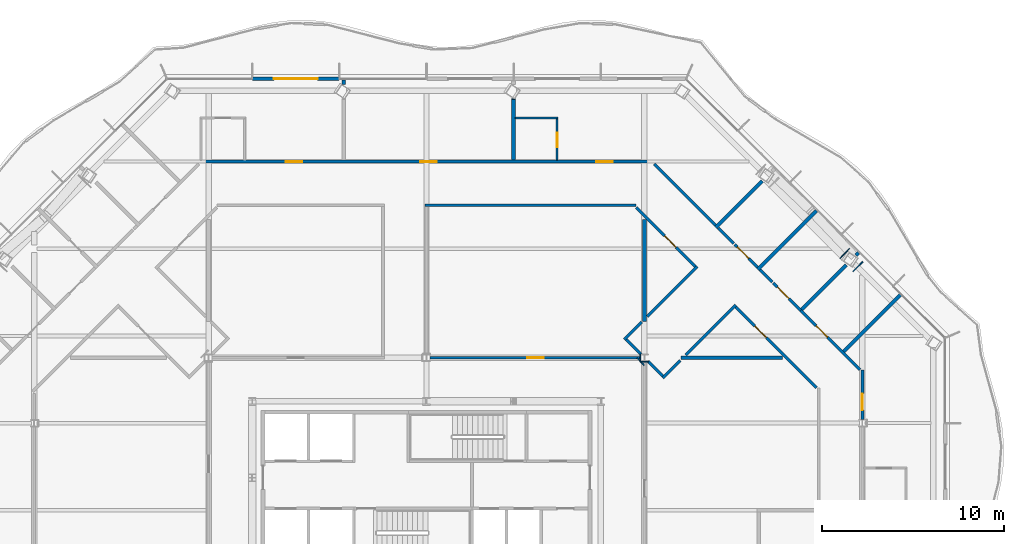
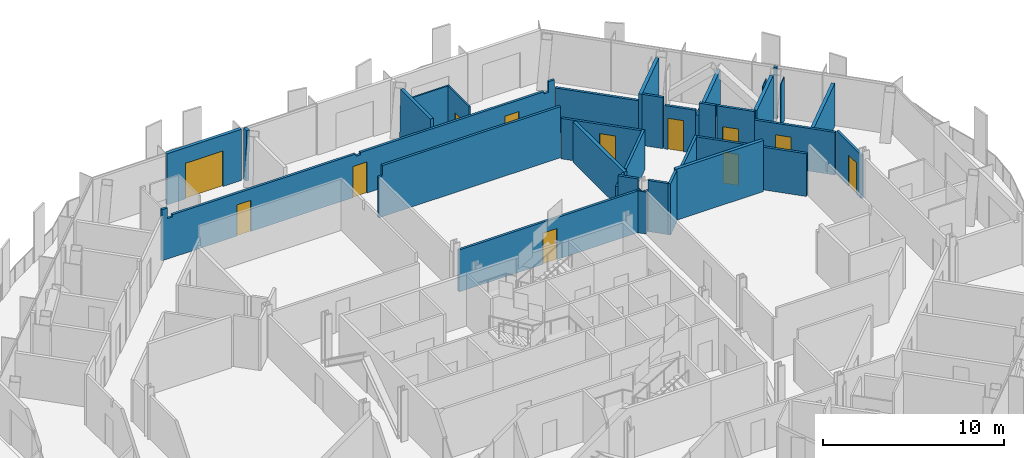
# One storey, part 13 of 21: 35 walls, 12 doors, 12 openings.
"""IFC4 building model written with IfcOpenShell, lengths in metres."""

from ifc_helpers import new_model, si_unit, direction, frame, frame_2d, origin, place, context, subcontext, project, spatial, polyline, rectangle, outline, extrude, material, layer, layer_set, type_object, element, fill, save


model = new_model("IFC4")

# Units and contexts
model_context = context("Model", 3, precision=1e-05, world=origin(), true_north=direction((0.0, 1.0)))
body_context = subcontext(model_context, "Body", "Model", "MODEL_VIEW")
ifc_project = project(units=[si_unit("LENGTHUNIT", "METRE"), si_unit("AREAUNIT", "SQUARE_METRE"), si_unit("VOLUMEUNIT", "CUBIC_METRE"), si_unit("PLANEANGLEUNIT", "RADIAN"), si_unit("MASSUNIT", "GRAM", prefix="KILO")], contexts=[model_context])

# Site, building, storey
site_placement = place(None, origin())
site = spatial("IfcSite", under=ifc_project, at=site_placement, CompositionType="ELEMENT")
building_placement = place(site_placement, origin())
building = spatial("IfcBuilding", under=site, at=building_placement, Name="Cairn Pilgrim Tower", CompositionType="ELEMENT")
storey_placement = place(building_placement, frame((0.0, 0.0, 172.199951171875)))
storey = spatial("IfcBuildingStorey", under=building, at=storey_placement, Name="L43", CompositionType="ELEMENT", Elevation=172.199951171875)

# Wall, opening, door
ifc_material_1 = material(Name="Bronze anodised aluminium insulated sandwich panel with mineral wool fill", Category="aluminium")
ifc_layer_1 = layer(ifc_material_1, 0.199951171875)
ifc_layer_set_1 = layer_set([ifc_layer_1], Name="BRONZE INFILL FRAME WALL 200")
wall_type_1 = type_object("IfcWallType", Name="BRONZE INFILL FRAME WALL 200", PredefinedType="NOTDEFINED", material=ifc_layer_set_1)
wall_1_placement = place(storey_placement, frame((2.3701171875, 28.550048828125, 0.0), z_axis=(0.0, 0.0, 1.0), x_axis=(-1.0, 0.0, 0.0)))
wall_1 = element("IfcWall", 1, at=wall_1_placement, inside=storey, type_object=wall_type_1, Name="Bronze infill frame wall IW-N5", PredefinedType="NOTDEFINED", context=body_context, shape_type="SweptSolid", body=[
    extrude(rectangle(XDim=4.740234375, YDim=0.199951171875, at=frame_2d((2.3701171875, 0.0))), origin(), (0.0, 0.0, 1.0), 3.449951171875),
])
opening_1_placement = place(wall_1_placement, frame((1.170166015625, 0.0, 0.0)))
opening_1 = element("IfcOpeningElement", 2, at=opening_1_placement, cuts=wall_1, Name="Opening 4315B", PredefinedType="OPENING", context=body_context, shape_type="SweptSolid", body=[
    extrude(rectangle(XDim=2.39990234375, YDim=2.39990234375, at=frame_2d((1.199951171875, 1.199951171875))), frame((0.0, 0.10986328125, 0.0), z_axis=(0.0, -1.0, 0.0), x_axis=(1.0, 0.0, 0.0)), (0.0, 0.0, 1.0), 0.219970703125),
])
ifc_material_2 = material(Name="Bronze anodised aluminium frame with tinted low-E glass", Category="aluminium")
door_type_1 = type_object("IfcDoorType", Name="BALCONY SLIDING DOOR 2400x2400", OperationType="DOUBLE_DOOR_SLIDING", PredefinedType="DOOR", material=ifc_material_2)
door_1_placement = place(opening_1_placement, origin())
door_1 = element("IfcDoor", 3, at=door_1_placement, inside=storey, type_object=door_type_1, Name="Balcony sliding door 4315B", OperationType="SINGLE_SWING_LEFT", OverallHeight=2.39990234375, OverallWidth=2.39990234375, PredefinedType="DOOR", context=body_context, shape_type="SweptSolid", body=[
    extrude(rectangle(XDim=2.39990234375, YDim=2.39990234375, at=frame_2d((1.199951171875, 1.199951171875))), frame((0.0, 0.02490234375, 0.0), z_axis=(0.0, -1.0, 0.0), x_axis=(1.0, 0.0, 0.0)), (0.0, 0.0, 1.0), 0.050048828125),
])
fill(opening_1, door_1)

ifc_material_3 = material(Name="Gypsum partition")
ifc_layer_2 = layer(ifc_material_3, 0.10009765625)
ifc_layer_set_2 = layer_set([ifc_layer_2], Name="PARTITION 100 DRYWALL")
wall_type_2 = type_object("IfcWallType", Name="PARTITION 100 DRYWALL", PredefinedType="PARTITIONING", material=ifc_layer_set_2)
wall_2_placement = place(storey_placement, frame((14.387939453125, 24.074951171875, 0.0), z_axis=(0.0, 0.0, 1.0), x_axis=(0.0, 1.0, 0.0)))
wall_2 = element("IfcWall", 4, at=wall_2_placement, inside=storey, type_object=wall_type_2, Name="PARTITION W132", PredefinedType="PARTITIONING", context=body_context, shape_type="SweptSolid", body=[
    extrude(rectangle(XDim=2.275146484375, YDim=0.10009765625, at=frame_2d((1.1376953125, 0.0))), origin(), (0.0, 0.0, 1.0), 3.449951171875),
])
opening_2_placement = place(wall_2_placement, frame((0.72509765625, 0.0, 0.0)))
opening_2 = element("IfcOpeningElement", 5, at=opening_2_placement, cuts=wall_2, Name="Opening 4313A", PredefinedType="OPENING", context=body_context, shape_type="SweptSolid", body=[
    extrude(rectangle(XDim=0.800048828125, YDim=2.10009765625, at=frame_2d((0.39990234375, 1.050048828125))), frame((0.0, 0.06005859375, 0.0), z_axis=(0.0, -1.0, 0.0), x_axis=(1.0, 0.0, 0.0)), (0.0, 0.0, 1.0), 0.1201171875),
])
ifc_material_4 = material(Name="Timber door leaf", Category="wood")
door_type_2 = type_object("IfcDoorType", Name="WC DOOR 800x2100", OperationType="NOTDEFINED", PredefinedType="DOOR", material=ifc_material_4)
door_2_placement = place(opening_2_placement, frame((0.800048828125, 0.0, 0.0), z_axis=(0.0, 0.0, 1.0), x_axis=(-1.0, 0.0, 0.0)))
door_2 = element("IfcDoor", 6, at=door_2_placement, inside=storey, type_object=door_type_2, Name="DOOR 4313A", OperationType="SINGLE_SWING_LEFT", OverallHeight=2.10009765625, OverallWidth=0.800048828125, PredefinedType="DOOR", context=body_context, shape_type="SweptSolid", body=[
    extrude(rectangle(XDim=0.800048828125, YDim=2.10009765625, at=frame_2d((0.39990234375, 1.050048828125))), frame((0.0, 0.02490234375, 0.0), z_axis=(0.0, -1.0, 0.0), x_axis=(1.0, 0.0, 0.0)), (0.0, 0.0, 1.0), 0.050048828125),
])
fill(opening_2, door_2)

# Wall
wall_3_placement = place(storey_placement, frame((12.087890625, 26.39990234375, 0.0), z_axis=(0.0, 0.0, 1.0), x_axis=(1.0, 0.0, 0.0)))
element("IfcWall", 7, at=wall_3_placement, inside=storey, type_object=wall_type_2, Name="PARTITION W134", PredefinedType="PARTITIONING", context=body_context, shape_type="SweptSolid", body=[
    extrude(rectangle(XDim=2.35009765625, YDim=0.10009765625, at=frame_2d((1.175048828125, 0.0))), origin(), (0.0, 0.0, 1.0), 3.449951171875),
])

# Wall, opening, door
ifc_layer_3 = layer(ifc_material_3, 0.14990234375)
ifc_layer_set_3 = layer_set([ifc_layer_3], Name="PARTITION 150 DRYWALL EI 60")
wall_type_3 = type_object("IfcWallType", Name="PARTITION 150 DRYWALL EI 60", PredefinedType="PARTITIONING", material=ifc_layer_set_3)
wall_4_placement = place(storey_placement, frame((31.199951171875, 9.8125, 0.0), z_axis=(0.0, 0.0, 1.0), x_axis=(0.0, 1.0, 0.0)))
wall_4 = element("IfcWall", 8, at=wall_4_placement, inside=storey, type_object=wall_type_3, Name="PARTITION W074", PredefinedType="PARTITIONING", context=body_context, shape_type="SweptSolid", body=[
    extrude(rectangle(XDim=2.70556640625, YDim=0.14990234375, at=frame_2d((1.352783203125, 0.0))), origin(), (0.0, 0.0, 1.0), 2.929931640625),
])
opening_3_placement = place(wall_4_placement, frame((0.506591796875, 0.0, 0.0)))
opening_3 = element("IfcOpeningElement", 9, at=opening_3_placement, cuts=wall_4, Name="Opening 4309", PredefinedType="OPENING", context=body_context, shape_type="SweptSolid", body=[
    extrude(rectangle(XDim=0.89990234375, YDim=2.10009765625, at=frame_2d((0.449951171875, 1.050048828125))), frame((0.0, 0.0849609375, 0.0), z_axis=(0.0, -1.0, 0.0), x_axis=(1.0, 0.0, 0.0)), (0.0, 0.0, 1.0), 0.169921875),
])
door_type_3 = type_object("IfcDoorType", Name="ROOM DOOR 900x2100 FD30S", OperationType="NOTDEFINED", PredefinedType="DOOR", material=ifc_material_4)
door_3_placement = place(opening_3_placement, frame((0.89990234375, 0.0, 0.0), z_axis=(0.0, 0.0, 1.0), x_axis=(-1.0, 0.0, 0.0)))
door_3 = element("IfcDoor", 10, at=door_3_placement, inside=storey, type_object=door_type_3, Name="DOOR 4309", OperationType="SINGLE_SWING_RIGHT", OverallHeight=2.10009765625, OverallWidth=0.89990234375, PredefinedType="DOOR", context=body_context, shape_type="SweptSolid", body=[
    extrude(rectangle(XDim=0.89990234375, YDim=2.10009765625, at=frame_2d((0.449951171875, 1.050048828125))), frame((0.0, 0.02490234375, 0.0), z_axis=(0.0, -1.0, 0.0), x_axis=(1.0, 0.0, 0.0)), (0.0, 0.0, 1.0), 0.050048828125),
])
fill(opening_3, door_3)

wall_5_placement = place(storey_placement, frame((28.672119140625, 11.5458984375, 0.0), z_axis=(0.0, 0.0, 1.0), x_axis=(-0.707106781187, 0.707106781187, 0.0)))
wall_5 = element("IfcWall", 11, at=wall_5_placement, inside=storey, type_object=wall_type_3, Name="PARTITION W076", PredefinedType="PARTITIONING", context=body_context, shape_type="SweptSolid", body=[
    extrude(rectangle(XDim=6.291748046875, YDim=0.14990234375, at=frame_2d((3.14599609375, 0.0))), origin(), (0.0, 0.0, 1.0), 2.880126953125),
])
opening_4_placement = place(wall_5_placement, frame((3.903076171875, 0.0, 0.0)))
opening_4 = element("IfcOpeningElement", 12, at=opening_4_placement, cuts=wall_5, Name="Opening 4331", PredefinedType="OPENING", context=body_context, shape_type="SweptSolid", body=[
    extrude(rectangle(XDim=0.89990234375, YDim=2.10009765625, at=frame_2d((0.449951171875, 1.050048828125))), frame((0.0, 0.0849609375, 0.0), z_axis=(0.0, -1.0, 0.0), x_axis=(1.0, 0.0, 0.0)), (0.0, 0.0, 1.0), 0.169921875),
])
door_type_4 = type_object("IfcDoorType", Name="SERVICE DOOR 900x2100 FD30S", OperationType="NOTDEFINED", PredefinedType="DOOR", material=ifc_material_4)
door_4_placement = place(opening_4_placement, origin())
door_4 = element("IfcDoor", 13, at=door_4_placement, inside=storey, type_object=door_type_4, Name="DOOR 4331", OperationType="SINGLE_SWING_LEFT", OverallHeight=2.10009765625, OverallWidth=0.89990234375, PredefinedType="DOOR", context=body_context, shape_type="SweptSolid", body=[
    extrude(rectangle(XDim=0.89990234375, YDim=2.10009765625, at=frame_2d((0.449951171875, 1.050048828125))), frame((0.0, 0.02490234375, 0.0), z_axis=(0.0, -1.0, 0.0), x_axis=(1.0, 0.0, 0.0)), (0.0, 0.0, 1.0), 0.050048828125),
])
fill(opening_4, door_4)

# Walls
wall_6_placement = place(storey_placement, frame((20.2080078125, 12.0859375, 0.0), z_axis=(0.0, 0.0, 1.0), x_axis=(0.706747296365, 0.707466083343, 0.0)))
element("IfcWall", 14, at=wall_6_placement, inside=storey, type_object=wall_type_3, Name="PARTITION W078", PredefinedType="PARTITIONING", context=body_context, shape_type="SweptSolid", body=[
    extrude(rectangle(XDim=1.358642578125, YDim=0.14990234375, at=frame_2d((0.67919921875, 0.0))), origin(), (0.0, 0.0, 1.0), 3.449951171875),
])
wall_7_placement = place(storey_placement, frame((20.2080078125, 12.192138671875, 0.0), z_axis=(0.0, 0.0, 1.0), x_axis=(-0.70721334539, 0.707000200921, 0.0)))
element("IfcWall", 15, at=wall_7_placement, inside=storey, type_object=wall_type_3, Name="PARTITION W080", PredefinedType="PARTITIONING", context=body_context, shape_type="SweptSolid", body=[
    extrude(rectangle(XDim=1.1455078125, YDim=0.14990234375, at=frame_2d((0.57275390625, 0.0))), origin(), (0.0, 0.0, 1.0), 3.449951171875),
])

# Wall, opening, door
wall_8_placement = place(storey_placement, frame((31.072021484375, 12.5400390625, 0.0), z_axis=(0.0, 0.0, 1.0), x_axis=(-0.707106781187, 0.707106781187, 0.0)))
wall_8 = element("IfcWall", 16, at=wall_8_placement, inside=storey, type_object=wall_type_3, Name="PARTITION W082", PredefinedType="PARTITIONING", context=body_context, shape_type="SweptSolid", body=[
    extrude(rectangle(XDim=4.6103515625, YDim=0.14990234375, at=frame_2d((2.30517578125, 0.0))), origin(), (0.0, 0.0, 1.0), 2.880126953125),
])
opening_5_placement = place(wall_8_placement, frame((2.525390625, 0.0, 0.0)))
opening_5 = element("IfcOpeningElement", 17, at=opening_5_placement, cuts=wall_8, Name="Opening 4310", PredefinedType="OPENING", context=body_context, shape_type="SweptSolid", body=[
    extrude(rectangle(XDim=0.89990234375, YDim=2.10009765625, at=frame_2d((0.449951171875, 1.050048828125))), frame((0.0, 0.0849609375, 0.0), z_axis=(0.0, -1.0, 0.0), x_axis=(1.0, 0.0, 0.0)), (0.0, 0.0, 1.0), 0.169921875),
])
door_5_placement = place(opening_5_placement, frame((0.89990234375, 0.0, 0.0), z_axis=(0.0, 0.0, 1.0), x_axis=(-1.0, 0.0, 0.0)))
door_5 = element("IfcDoor", 18, at=door_5_placement, inside=storey, type_object=door_type_3, Name="DOOR 4310", OperationType="SINGLE_SWING_LEFT", OverallHeight=2.10009765625, OverallWidth=0.89990234375, PredefinedType="DOOR", context=body_context, shape_type="SweptSolid", body=[
    extrude(rectangle(XDim=0.89990234375, YDim=2.10009765625, at=frame_2d((0.449951171875, 1.050048828125))), frame((0.0, 0.02490234375, 0.0), z_axis=(0.0, -1.0, 0.0), x_axis=(1.0, 0.0, 0.0)), (0.0, 0.0, 1.0), 0.050048828125),
])
fill(opening_5, door_5)

wall_9_placement = place(storey_placement, frame((7.3994140625, 13.199951171875, 0.0), z_axis=(0.0, 0.0, 1.0), x_axis=(1.0, 0.0, 0.0)))
wall_9 = element("IfcWall", 19, at=wall_9_placement, inside=storey, type_object=wall_type_3, Name="PARTITION W086", PredefinedType="PARTITIONING", context=body_context, shape_type="SweptSolid", body=[
    extrude(rectangle(XDim=11.60107421875, YDim=0.14990234375, at=frame_2d((5.800537109375, 0.0))), origin(), (0.0, 0.0, 1.0), 2.830078125),
])
opening_6_placement = place(wall_9_placement, frame((5.3505859375, 0.0, 0.0)))
opening_6 = element("IfcOpeningElement", 20, at=opening_6_placement, cuts=wall_9, Name="Opening 4333", PredefinedType="OPENING", context=body_context, shape_type="SweptSolid", body=[
    extrude(rectangle(XDim=0.89990234375, YDim=2.10009765625, at=frame_2d((0.449951171875, 1.050048828125))), frame((0.0, 0.0849609375, 0.0), z_axis=(0.0, -1.0, 0.0), x_axis=(1.0, 0.0, 0.0)), (0.0, 0.0, 1.0), 0.169921875),
])
door_6_placement = place(opening_6_placement, origin())
door_6 = element("IfcDoor", 21, at=door_6_placement, inside=storey, type_object=door_type_4, Name="DOOR 4333", OperationType="SINGLE_SWING_LEFT", OverallHeight=2.10009765625, OverallWidth=0.89990234375, PredefinedType="DOOR", context=body_context, shape_type="SweptSolid", body=[
    extrude(rectangle(XDim=0.89990234375, YDim=2.10009765625, at=frame_2d((0.449951171875, 1.050048828125))), frame((0.0, 0.02490234375, 0.0), z_axis=(0.0, -1.0, 0.0), x_axis=(1.0, 0.0, 0.0)), (0.0, 0.0, 1.0), 0.050048828125),
])
fill(opening_6, door_6)

# Walls
wall_10_placement = place(storey_placement, frame((19.001953125, 13.39794921875, 0.0), z_axis=(0.0, 0.0, 1.0), x_axis=(-0.707000200921, 0.70721334539, 0.0)))
element("IfcWall", 22, at=wall_10_placement, inside=storey, type_object=wall_type_3, Name="PARTITION W091", PredefinedType="PARTITIONING", context=body_context, shape_type="SweptSolid", body=[
    extrude(rectangle(XDim=1.1455078125, YDim=0.14990234375, at=frame_2d((0.57275390625, 0.0))), origin(), (0.0, 0.0, 1.0), 3.449951171875),
])
wall_11_placement = place(storey_placement, frame((21.47412109375, 13.35302734375, 0.0), z_axis=(0.0, 0.0, 1.0), x_axis=(0.707200993001, 0.707012556818, 0.0)))
element("IfcWall", 23, at=wall_11_placement, inside=storey, type_object=wall_type_3, Name="PARTITION W092", PredefinedType="PARTITIONING", context=body_context, shape_type="SweptSolid", body=[
    extrude(rectangle(XDim=3.886962890625, YDim=0.14990234375, at=frame_2d((1.943359375, 0.0))), origin(), (0.0, 0.0, 1.0), 2.880126953125),
])
wall_12_placement = place(storey_placement, frame((18.0859375, 14.2080078125, 0.0), z_axis=(0.0, 0.0, 1.0), x_axis=(0.707466083343, 0.706747296365, 0.0)))
element("IfcWall", 24, at=wall_12_placement, inside=storey, type_object=wall_type_3, Name="PARTITION W096", PredefinedType="PARTITIONING", context=body_context, shape_type="SweptSolid", body=[
    extrude(rectangle(XDim=1.358642578125, YDim=0.14990234375, at=frame_2d((0.67919921875, 0.0))), origin(), (0.0, 0.0, 1.0), 2.72998046875),
])
wall_13_placement = place(storey_placement, frame((19.35302734375, 15.47412109375, 0.0), z_axis=(0.0, 0.0, 1.0), x_axis=(0.707012556818, 0.707200993001, 0.0)))
element("IfcWall", 25, at=wall_13_placement, inside=storey, type_object=wall_type_3, Name="PARTITION W101", PredefinedType="PARTITIONING", context=body_context, shape_type="SweptSolid", body=[
    extrude(rectangle(XDim=3.886962890625, YDim=0.14990234375, at=frame_2d((1.943359375, 0.0))), origin(), (0.0, 0.0, 1.0), 2.72998046875),
])

# Wall, opening, door
wall_14_placement = place(storey_placement, frame((27.81201171875, 15.800048828125, 0.0), z_axis=(0.0, 0.0, 1.0), x_axis=(-0.707333708891, 0.706879780632, 0.0)))
wall_14 = element("IfcWall", 26, at=wall_14_placement, inside=storey, type_object=wall_type_3, Name="PARTITION W102", PredefinedType="PARTITIONING", context=body_context, shape_type="SweptSolid", body=[
    extrude(rectangle(XDim=2.1513671875, YDim=0.14990234375, at=frame_2d((1.07568359375, 0.0))), origin(), (0.0, 0.0, 1.0), 3.449951171875),
])
opening_7_placement = place(wall_14_placement, frame((0.92626953125, 0.0, 0.0)))
opening_7 = element("IfcOpeningElement", 27, at=opening_7_placement, cuts=wall_14, Name="Opening 4311", PredefinedType="OPENING", context=body_context, shape_type="SweptSolid", body=[
    extrude(rectangle(XDim=0.89990234375, YDim=2.10009765625, at=frame_2d((0.449951171875, 1.050048828125))), frame((0.0, 0.0849609375, 0.0), z_axis=(0.0, -1.0, 0.0), x_axis=(1.0, 0.0, 0.0)), (0.0, 0.0, 1.0), 0.169921875),
])
door_7_placement = place(opening_7_placement, frame((0.89990234375, 0.0, 0.0), z_axis=(0.0, 0.0, 1.0), x_axis=(-1.0, 0.0, 0.0)))
door_7 = element("IfcDoor", 28, at=door_7_placement, inside=storey, type_object=door_type_4, Name="DOOR 4311", OperationType="SINGLE_SWING_LEFT", OverallHeight=2.10009765625, OverallWidth=0.89990234375, PredefinedType="DOOR", context=body_context, shape_type="SweptSolid", body=[
    extrude(rectangle(XDim=0.89990234375, YDim=2.10009765625, at=frame_2d((0.449951171875, 1.050048828125))), frame((0.0, 0.02490234375, 0.0), z_axis=(0.0, -1.0, 0.0), x_axis=(1.0, 0.0, 0.0)), (0.0, 0.0, 1.0), 0.050048828125),
])
fill(opening_7, door_7)

# Wall
wall_15_placement = place(storey_placement, frame((26.23681640625, 17.373291015625, 0.0), z_axis=(0.0, 0.0, 1.0), x_axis=(-0.706200152123, 0.708012249288, 0.0)))
element("IfcWall", 29, at=wall_15_placement, inside=storey, type_object=wall_type_3, Name="PARTITION W106", PredefinedType="PARTITIONING", context=body_context, shape_type="SweptSolid", body=[
    extrude(rectangle(XDim=0.943115234375, YDim=0.14990234375, at=frame_2d((0.4716796875, 0.0))), origin(), (0.0, 0.0, 1.0), 3.449951171875),
])

# Wall, opening, door
wall_16_placement = place(storey_placement, frame((21.9951171875, 18.222900390625, 0.0), z_axis=(0.0, 0.0, 1.0), x_axis=(-0.707106781187, 0.707106781187, 0.0)))
wall_16 = element("IfcWall", 30, at=wall_16_placement, inside=storey, type_object=wall_type_3, Name="PARTITION W110", PredefinedType="PARTITIONING", context=body_context, shape_type="SweptSolid", body=[
    extrude(rectangle(XDim=4.5947265625, YDim=0.14990234375, at=frame_2d((2.29736328125, 0.0))), origin(), (0.0, 0.0, 1.0), 2.72998046875),
])
opening_8_placement = place(wall_16_placement, frame((1.489013671875, 0.0, 0.0)))
opening_8 = element("IfcOpeningElement", 31, at=opening_8_placement, cuts=wall_16, Name="Opening 4332", PredefinedType="OPENING", context=body_context, shape_type="SweptSolid", body=[
    extrude(rectangle(XDim=0.89990234375, YDim=2.10009765625, at=frame_2d((0.449951171875, 1.050048828125))), frame((0.0, 0.0849609375, 0.0), z_axis=(0.0, -1.0, 0.0), x_axis=(1.0, 0.0, 0.0)), (0.0, 0.0, 1.0), 0.169921875),
])
door_8_placement = place(opening_8_placement, origin())
door_8 = element("IfcDoor", 32, at=door_8_placement, inside=storey, type_object=door_type_4, Name="DOOR 4332", OperationType="SINGLE_SWING_LEFT", OverallHeight=2.10009765625, OverallWidth=0.89990234375, PredefinedType="DOOR", context=body_context, shape_type="SweptSolid", body=[
    extrude(rectangle(XDim=0.89990234375, YDim=2.10009765625, at=frame_2d((0.449951171875, 1.050048828125))), frame((0.0, 0.02490234375, 0.0), z_axis=(0.0, -1.0, 0.0), x_axis=(1.0, 0.0, 0.0)), (0.0, 0.0, 1.0), 0.050048828125),
])
fill(opening_8, door_8)

wall_17_placement = place(storey_placement, frame((25.42919921875, 18.1826171875, 0.0), z_axis=(0.0, 0.0, 1.0), x_axis=(-0.707243830661, 0.706969705145, 0.0)))
wall_17 = element("IfcWall", 33, at=wall_17_placement, inside=storey, type_object=wall_type_3, Name="PARTITION W111", PredefinedType="PARTITIONING", context=body_context, shape_type="SweptSolid", body=[
    extrude(rectangle(XDim=1.78125, YDim=0.14990234375, at=frame_2d((0.890625, 0.0))), origin(), (0.0, 0.0, 1.0), 2.929931640625),
])
opening_9_placement = place(wall_17_placement, frame((0.690185546875, 0.0, 0.0)))
opening_9 = element("IfcOpeningElement", 34, at=opening_9_placement, cuts=wall_17, Name="Opening 4312", PredefinedType="OPENING", context=body_context, shape_type="SweptSolid", body=[
    extrude(rectangle(XDim=0.89990234375, YDim=2.10009765625, at=frame_2d((0.449951171875, 1.050048828125))), frame((0.0, 0.0849609375, 0.0), z_axis=(0.0, -1.0, 0.0), x_axis=(1.0, 0.0, 0.0)), (0.0, 0.0, 1.0), 0.169921875),
])
door_9_placement = place(opening_9_placement, frame((0.89990234375, 0.0, 0.0), z_axis=(0.0, 0.0, 1.0), x_axis=(-1.0, 0.0, 0.0)))
door_9 = element("IfcDoor", 35, at=door_9_placement, inside=storey, type_object=door_type_4, Name="DOOR 4312", OperationType="SINGLE_SWING_LEFT", OverallHeight=2.10009765625, OverallWidth=0.89990234375, PredefinedType="DOOR", context=body_context, shape_type="SweptSolid", body=[
    extrude(rectangle(XDim=0.89990234375, YDim=2.10009765625, at=frame_2d((0.449951171875, 1.050048828125))), frame((0.0, 0.02490234375, 0.0), z_axis=(0.0, -1.0, 0.0), x_axis=(1.0, 0.0, 0.0)), (0.0, 0.0, 1.0), 0.050048828125),
])
fill(opening_9, door_9)

# Walls
wall_18_placement = place(storey_placement, frame((24.115966796875, 19.494384765625, 0.0), z_axis=(0.0, 0.0, 1.0), x_axis=(-0.706402241469, 0.707810619621, 0.0)))
element("IfcWall", 36, at=wall_18_placement, inside=storey, type_object=wall_type_3, Name="PARTITION W116", PredefinedType="PARTITIONING", context=body_context, shape_type="SweptSolid", body=[
    extrude(rectangle(XDim=1.21337890625, YDim=0.14990234375, at=frame_2d((0.606689453125, 0.0))), origin(), (0.0, 0.0, 1.0), 3.449951171875),
])
wall_19_placement = place(storey_placement, frame((23.1171875, 20.49462890625, 0.0), z_axis=(0.0, 0.0, 1.0), x_axis=(-0.707081222956, 0.707132338493, 0.0)))
element("IfcWall", 37, at=wall_19_placement, inside=storey, type_object=wall_type_3, Name="PARTITION W120", PredefinedType="PARTITIONING", context=body_context, shape_type="SweptSolid", body=[
    extrude(rectangle(XDim=4.7763671875, YDim=0.14990234375, at=frame_2d((2.38818359375, 0.0))), origin(), (0.0, 0.0, 1.0), 2.97998046875),
])
wall_20_placement = place(storey_placement, frame((7.125, 21.60009765625, 0.0), z_axis=(0.0, 0.0, 1.0), x_axis=(1.0, 0.0, 0.0)))
element("IfcWall", 38, at=wall_20_placement, inside=storey, type_object=wall_type_3, Name="PARTITION W123", PredefinedType="PARTITIONING", context=body_context, shape_type="SweptSolid", body=[
    extrude(outline(polyline([(0.0, 0.0), (11.59912109375, 0.0), (11.59912109375, 3.449951171875), (0.22509765625, 3.449951171875), (0.222900390625, 2.72998046875), (0.0, 2.72998046875), (0.0, 0.0)])), frame((0.0, 0.074951171875, 0.0), z_axis=(0.0, -1.0, 0.0), x_axis=(1.0, 0.0, 0.0)), (0.0, 0.0, 1.0), 0.14990234375),
])

# Wall, openings, doors
wall_21_placement = place(storey_placement, frame((-5.318115234375, 24.0, 0.0), z_axis=(0.0, 0.0, 1.0), x_axis=(1.0, 0.0, 0.0)))
wall_21 = element("IfcWall", 39, at=wall_21_placement, inside=storey, type_object=wall_type_3, Name="PARTITION W127", PredefinedType="PARTITIONING", context=body_context, shape_type="SweptSolid", body=[
    extrude(outline(polyline([(0.0, 0.0), (25.0361328125, 0.0), (25.0361328125, 3.449951171875), (24.668212890625, 3.449951171875), (24.666015625, 2.72998046875), (24.3681640625, 2.72998046875), (24.3662109375, 2.880126953125), (12.668212890625, 2.880126953125), (12.666015625, 2.72998046875), (12.3681640625, 2.72998046875), (12.3662109375, 2.880126953125), (0.668212890625, 2.880126953125), (0.666015625, 2.72998046875), (0.3681640625, 2.72998046875), (0.3662109375, 3.449951171875), (0.0, 3.449951171875), (0.0, 0.0)])), frame((0.0, 0.074951171875, 0.0), z_axis=(0.0, -1.0, 0.0), x_axis=(1.0, 0.0, 0.0)), (0.0, 0.0, 1.0), 0.14990234375),
])
opening_10_placement = place(wall_21_placement, frame((21.8681640625, 0.0, 0.0)))
opening_10 = element("IfcOpeningElement", 40, at=opening_10_placement, cuts=wall_21, Name="Opening 4313", PredefinedType="OPENING", context=body_context, shape_type="SweptSolid", body=[
    extrude(rectangle(XDim=0.89990234375, YDim=2.10009765625, at=frame_2d((0.449951171875, 1.050048828125))), frame((0.0, 0.0849609375, 0.0), z_axis=(0.0, -1.0, 0.0), x_axis=(1.0, 0.0, 0.0)), (0.0, 0.0, 1.0), 0.169921875),
])
opening_11_placement = place(wall_21_placement, frame((12.18115234375, 0.0, 0.0)))
opening_11 = element("IfcOpeningElement", 41, at=opening_11_placement, cuts=wall_21, Name="Opening 4314", PredefinedType="OPENING", context=body_context, shape_type="SweptSolid", body=[
    extrude(rectangle(XDim=0.89990234375, YDim=2.10009765625, at=frame_2d((0.449951171875, 1.050048828125))), frame((0.0, 0.0849609375, 0.0), z_axis=(0.0, -1.0, 0.0), x_axis=(1.0, 0.0, 0.0)), (0.0, 0.0, 1.0), 0.169921875),
])
opening_12_placement = place(wall_21_placement, frame((4.780029296875, 0.0, 0.0)))
opening_12 = element("IfcOpeningElement", 42, at=opening_12_placement, cuts=wall_21, Name="Opening 4315", PredefinedType="OPENING", context=body_context, shape_type="SweptSolid", body=[
    extrude(rectangle(XDim=0.89990234375, YDim=2.10009765625, at=frame_2d((0.449951171875, 1.050048828125))), frame((0.0, 0.0849609375, 0.0), z_axis=(0.0, -1.0, 0.0), x_axis=(1.0, 0.0, 0.0)), (0.0, 0.0, 1.0), 0.169921875),
])
door_10_placement = place(opening_10_placement, origin())
door_10 = element("IfcDoor", 43, at=door_10_placement, inside=storey, type_object=door_type_3, Name="DOOR 4313", OperationType="SINGLE_SWING_LEFT", OverallHeight=2.10009765625, OverallWidth=0.89990234375, PredefinedType="DOOR", context=body_context, shape_type="SweptSolid", body=[
    extrude(rectangle(XDim=0.89990234375, YDim=2.10009765625, at=frame_2d((0.449951171875, 1.050048828125))), frame((0.0, 0.02490234375, 0.0), z_axis=(0.0, -1.0, 0.0), x_axis=(1.0, 0.0, 0.0)), (0.0, 0.0, 1.0), 0.050048828125),
])
fill(opening_10, door_10)
door_11_placement = place(opening_12_placement, origin())
door_11 = element("IfcDoor", 44, at=door_11_placement, inside=storey, type_object=door_type_3, Name="DOOR 4315", OperationType="SINGLE_SWING_LEFT", OverallHeight=2.10009765625, OverallWidth=0.89990234375, PredefinedType="DOOR", context=body_context, shape_type="SweptSolid", body=[
    extrude(rectangle(XDim=0.89990234375, YDim=2.10009765625, at=frame_2d((0.449951171875, 1.050048828125))), frame((0.0, 0.02490234375, 0.0), z_axis=(0.0, -1.0, 0.0), x_axis=(1.0, 0.0, 0.0)), (0.0, 0.0, 1.0), 0.050048828125),
])
fill(opening_12, door_11)
door_12_placement = place(opening_11_placement, origin())
door_12 = element("IfcDoor", 45, at=door_12_placement, inside=storey, type_object=door_type_4, Name="DOOR 4314", OperationType="SINGLE_SWING_LEFT", OverallHeight=2.10009765625, OverallWidth=0.89990234375, PredefinedType="DOOR", context=body_context, shape_type="SweptSolid", body=[
    extrude(rectangle(XDim=0.89990234375, YDim=2.10009765625, at=frame_2d((0.449951171875, 1.050048828125))), frame((0.0, 0.02490234375, 0.0), z_axis=(0.0, -1.0, 0.0), x_axis=(1.0, 0.0, 0.0)), (0.0, 0.0, 1.0), 0.050048828125),
])
fill(opening_11, door_12)

# Walls
ifc_layer_4 = layer(ifc_material_3, 0.050048828125)
ifc_layer_set_4 = layer_set([ifc_layer_4], Name="PARTITION 50 DRYWALL EI 60")
wall_type_4 = type_object("IfcWallType", Name="PARTITION 50 DRYWALL EI 60", PredefinedType="PARTITIONING", material=ifc_layer_set_4)
wall_22_placement = place(storey_placement, frame((18.9755859375, 13.00341796875, 0.0), z_axis=(0.0, 0.0, 1.0), x_axis=(0.0, 1.0, 0.0)))
element("IfcWall", 46, at=wall_22_placement, inside=storey, type_object=wall_type_4, Name="COLUMN CASING WC17", PredefinedType="PARTITIONING", context=body_context, shape_type="SweptSolid", body=[
    extrude(rectangle(XDim=0.39306640625, YDim=0.050048828125, at=frame_2d((0.196533203125, 0.0))), origin(), (0.0, 0.0, 1.0), 2.830078125),
])
wall_23_placement = place(storey_placement, frame((19.182373046875, 12.786376953125, 0.0), z_axis=(0.0, 0.0, 1.0), x_axis=(-0.707106781187, 0.707106781187, 0.0)))
element("IfcWall", 47, at=wall_23_placement, inside=storey, type_object=wall_type_4, Name="COLUMN CASING WC22", PredefinedType="PARTITIONING", context=body_context, shape_type="SweptSolid", body=[
    extrude(rectangle(XDim=0.56005859375, YDim=0.050048828125, at=frame_2d((0.280029296875, 0.0))), origin(), (0.0, 0.0, 1.0), 2.830078125),
])
wall_24_placement = place(storey_placement, frame((19.00048828125, 12.978515625, 0.0), z_axis=(0.0, 0.0, 1.0), x_axis=(1.0, 0.0, 0.0)))
element("IfcWall", 48, at=wall_24_placement, inside=storey, type_object=wall_type_4, Name="COLUMN CASING WC25", PredefinedType="PARTITIONING", context=body_context, shape_type="SweptSolid", body=[
    extrude(rectangle(XDim=0.39892578125, YDim=0.050048828125, at=frame_2d((0.199462890625, 0.0))), origin(), (0.0, 0.0, 1.0), 2.830078125),
])
wall_25_placement = place(storey_placement, frame((29.9580078125, 18.669677734375, 0.0), z_axis=(0.0, 0.0, 1.0), x_axis=(0.707267505531, 0.706946020301, 0.0)))
element("IfcWall", 49, at=wall_25_placement, inside=storey, type_object=wall_type_4, Name="COLUMN CASING WC28", PredefinedType="PARTITIONING", context=body_context, shape_type="SweptSolid", body=[
    extrude(rectangle(XDim=0.759521484375, YDim=0.050048828125, at=frame_2d((0.3798828125, 0.0))), origin(), (0.0, 0.0, 1.0), 2.630126953125),
])
wall_26_placement = place(storey_placement, frame((30.681396484375, 17.9462890625, 0.0), z_axis=(0.0, 0.0, 1.0), x_axis=(0.706946020301, 0.707267505531, 0.0)))
element("IfcWall", 50, at=wall_26_placement, inside=storey, type_object=wall_type_4, Name="COLUMN CASING WC29", PredefinedType="PARTITIONING", context=body_context, shape_type="SweptSolid", body=[
    extrude(rectangle(XDim=0.759521484375, YDim=0.050048828125, at=frame_2d((0.3798828125, 0.0))), origin(), (0.0, 0.0, 1.0), 2.929931640625),
])
ifc_layer_5 = layer(ifc_material_3, 0.199951171875)
ifc_layer_set_5 = layer_set([ifc_layer_5], Name="SHAFT WALL 200 GYPSUM EI 60")
wall_type_5 = type_object("IfcWallType", Name="SHAFT WALL 200 GYPSUM EI 60", PredefinedType="PARTITIONING", material=ifc_layer_set_5)
wall_27_placement = place(storey_placement, frame((21.20458984375, 13.199951171875, 0.0), z_axis=(0.0, 0.0, 1.0), x_axis=(1.0, 0.0, 0.0)))
element("IfcWall", 51, at=wall_27_placement, inside=storey, type_object=wall_type_5, Name="PARTITION W087", PredefinedType="PARTITIONING", context=body_context, shape_type="SweptSolid", body=[
    extrude(rectangle(XDim=5.607421875, YDim=0.199951171875, at=frame_2d((2.8037109375, 0.0))), origin(), (0.0, 0.0, 1.0), 3.449951171875),
])
wall_28_placement = place(storey_placement, frame((30.177001953125, 13.541015625, 0.0), z_axis=(0.0, 0.0, 1.0), x_axis=(0.707106781187, 0.707106781187, 0.0)))
element("IfcWall", 52, at=wall_28_placement, inside=storey, type_object=wall_type_5, Name="PARTITION W093", PredefinedType="PARTITIONING", context=body_context, shape_type="SweptSolid", body=[
    extrude(rectangle(XDim=4.427978515625, YDim=0.199951171875, at=frame_2d((2.2138671875, 0.0))), origin(), (0.0, 0.0, 1.0), 2.880126953125),
])
wall_29_placement = place(storey_placement, frame((19.199951171875, 15.20458984375, 0.0), z_axis=(0.0, 0.0, 1.0), x_axis=(0.0, 1.0, 0.0)))
element("IfcWall", 53, at=wall_29_placement, inside=storey, type_object=wall_type_5, Name="PARTITION W099", PredefinedType="PARTITIONING", context=body_context, shape_type="SweptSolid", body=[
    extrude(rectangle(XDim=5.607421875, YDim=0.199951171875, at=frame_2d((2.8037109375, 0.0))), origin(), (0.0, 0.0, 1.0), 2.72998046875),
])
wall_30_placement = place(storey_placement, frame((27.864990234375, 15.85302734375, 0.0), z_axis=(0.0, 0.0, 1.0), x_axis=(0.707106781187, 0.707106781187, 0.0)))
element("IfcWall", 54, at=wall_30_placement, inside=storey, type_object=wall_type_5, Name="PARTITION W104", PredefinedType="PARTITIONING", context=body_context, shape_type="SweptSolid", body=[
    extrude(rectangle(XDim=3.4716796875, YDim=0.199951171875, at=frame_2d((1.73583984375, 0.0))), origin(), (0.0, 0.0, 1.0), 3.449951171875),
])
wall_31_placement = place(storey_placement, frame((25.447021484375, 18.05908203125, 0.0), z_axis=(0.0, 0.0, 1.0), x_axis=(0.707106781187, 0.707106781187, 0.0)))
element("IfcWall", 55, at=wall_31_placement, inside=storey, type_object=wall_type_5, Name="PARTITION W108", PredefinedType="PARTITIONING", context=body_context, shape_type="SweptSolid", body=[
    extrude(rectangle(XDim=4.564697265625, YDim=0.199951171875, at=frame_2d((2.2822265625, 0.0))), origin(), (0.0, 0.0, 1.0), 2.630126953125),
])
wall_32_placement = place(storey_placement, frame((30.856689453125, 18.8447265625, 0.0), z_axis=(0.0, 0.0, 1.0), x_axis=(0.707106781187, 0.707106781187, 0.0)))
element("IfcWall", 56, at=wall_32_placement, inside=storey, type_object=wall_type_5, Name="PARTITION W114", PredefinedType="PARTITIONING", context=body_context, shape_type="SweptSolid", body=[
    extrude(rectangle(XDim=0.18408203125, YDim=0.199951171875, at=frame_2d((0.092041015625, 0.0))), origin(), (0.0, 0.0, 1.0), 3.449951171875),
])
wall_33_placement = place(storey_placement, frame((23.135009765625, 20.37109375, 0.0), z_axis=(0.0, 0.0, 1.0), x_axis=(0.707106781187, 0.707106781187, 0.0)))
element("IfcWall", 57, at=wall_33_placement, inside=storey, type_object=wall_type_5, Name="PARTITION W118", PredefinedType="PARTITIONING", context=body_context, shape_type="SweptSolid", body=[
    extrude(rectangle(XDim=3.62158203125, YDim=0.199951171875, at=frame_2d((1.810791015625, 0.0))), origin(), (0.0, 0.0, 1.0), 3.449951171875),
])
wall_34_placement = place(storey_placement, frame((11.988037109375, 24.074951171875, 0.0), z_axis=(0.0, 0.0, 1.0), x_axis=(0.0, 1.0, 0.0)))
element("IfcWall", 58, at=wall_34_placement, inside=storey, type_object=wall_type_5, Name="PARTITION W131", PredefinedType="PARTITIONING", context=body_context, shape_type="SweptSolid", body=[
    extrude(outline(polyline([(0.0, 0.0), (3.40234375, 0.0), (3.366455078125, 0.862548828125), (3.330322265625, 1.72509765625), (3.322998046875, 2.587646484375), (3.322998046875, 3.449951171875), (0.0, 3.449951171875), (0.0, 2.587646484375), (0.0, 1.72509765625), (0.0, 0.862548828125), (0.0, 0.0)])), frame((0.0, 0.10009765625, 0.0), z_axis=(0.0, -1.0, 0.0), x_axis=(1.0, 0.0, 0.0)), (0.0, 0.0, 1.0), 0.199951171875),
])
wall_35_placement = place(storey_placement, frame((2.636962890625, 28.16650390625, 0.0), z_axis=(0.0, 0.0, 1.0), x_axis=(0.0, 1.0, 0.0)))
element("IfcWall", 59, at=wall_35_placement, inside=storey, type_object=wall_type_5, Name="PARTITION W135", PredefinedType="PARTITIONING", context=body_context, shape_type="SweptSolid", body=[
    extrude(outline(polyline([(0.085693359375, 0.0), (0.33642578125, 0.0), (0.33642578125, 0.862548828125), (0.33642578125, 1.72509765625), (0.33642578125, 2.587646484375), (0.33642578125, 3.449951171875), (0.0, 3.449951171875), (0.035888671875, 2.587646484375), (0.072021484375, 1.72509765625), (0.085693359375, 0.862548828125), (0.085693359375, 0.0)])), frame((0.0, 0.10009765625, 0.0), z_axis=(0.0, -1.0, 0.0), x_axis=(1.0, 0.0, 0.0)), (0.0, 0.0, 1.0), 0.199951171875),
])

save(model, "model.ifc")
